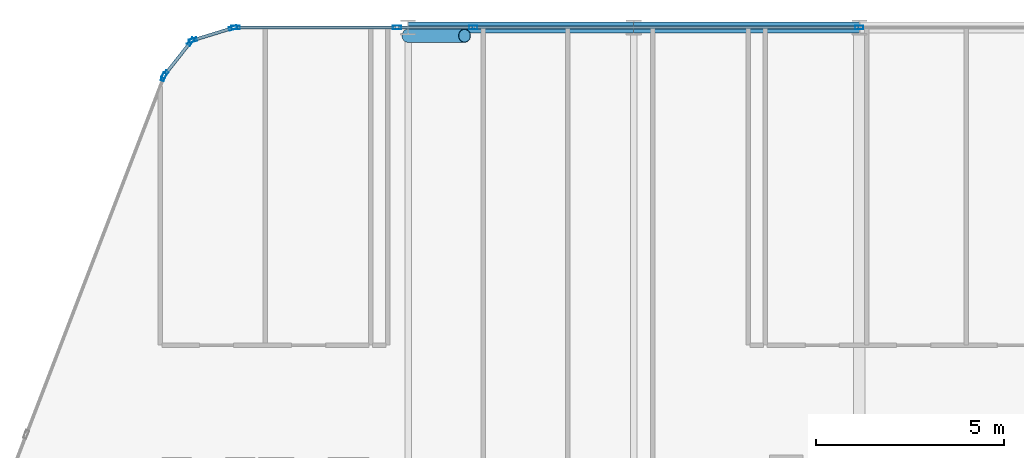
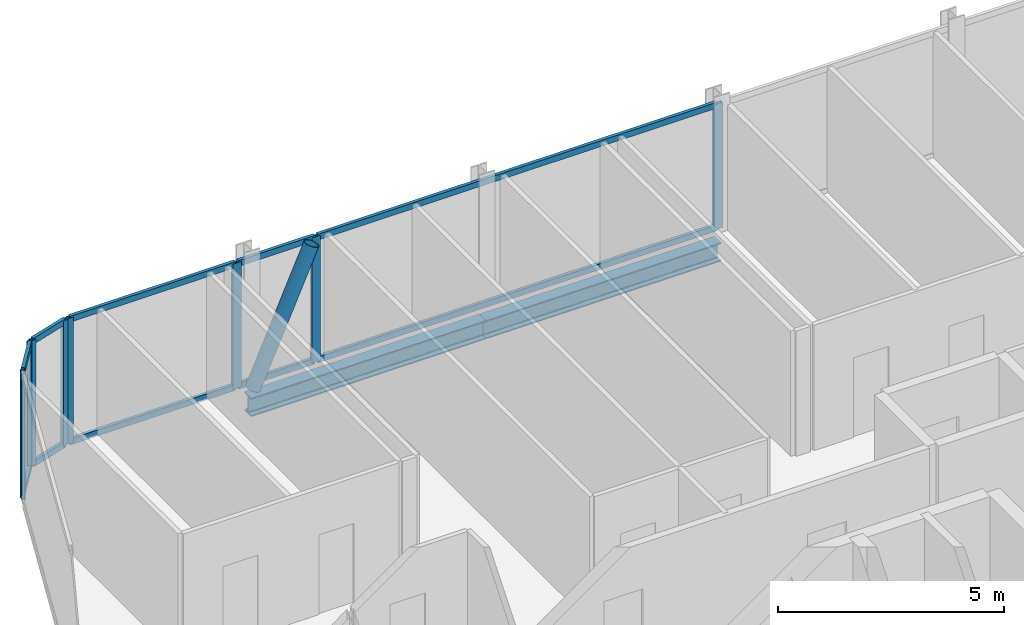
# One storey, part 14 of 33: 20 members, 2 beams, 6 elements without a shape of their own.
"""IFC4 building model written with IfcOpenShell, lengths in metres."""

from ifc_helpers import new_model, si_unit, direction, frame, origin, origin_2d, place, context, subcontext, project, spatial, hollow_rectangle, hollow_circle, i_section, extrude, material, layer, layer_set, material_profile, profile_set, type_object, element, aggregate, save


model = new_model("IFC4")

# Units and contexts
model_context = context("Model", 3, precision=1e-05, world=origin(), true_north=direction((0.0, 1.0)))
body_context = subcontext(model_context, "Body", "Model", "MODEL_VIEW")
ifc_project = project(units=[si_unit("LENGTHUNIT", "METRE"), si_unit("AREAUNIT", "SQUARE_METRE"), si_unit("VOLUMEUNIT", "CUBIC_METRE"), si_unit("PLANEANGLEUNIT", "RADIAN"), si_unit("MASSUNIT", "GRAM", prefix="KILO")], contexts=[model_context])

# Site, building, storey
site_placement = place(None, origin())
site = spatial("IfcSite", under=ifc_project, at=site_placement, CompositionType="ELEMENT")
building_placement = place(site_placement, origin())
building = spatial("IfcBuilding", under=site, at=building_placement, Name="Keshet Zoharim Tower", CompositionType="ELEMENT")
storey_placement = place(building_placement, frame((0.0, 0.0, 73.800048828125)))
storey = spatial("IfcBuildingStorey", under=building, at=storey_placement, Name="L17", CompositionType="ELEMENT", Elevation=73.800048828125)

# Beams
ifc_material_1 = material(Name="Steel S355", Category="steel")
ifc_material_profile_1 = material_profile(ifc_material_1, i_section(OverallWidth=0.300048828125, OverallDepth=0.5, WebThickness=0.014404296875, FlangeThickness=0.028076171875, FilletRadius=0.027099609375, at=origin_2d()), Name="HEB500")
ifc_profile_set_1 = profile_set([ifc_material_profile_1], Name="Steel S355")
beam_type = type_object("IfcBeamType", Name="BM-WEB-HB500", PredefinedType="BEAM", material=ifc_profile_set_1)
for number, where, z_axis, x_axis, name in (
    (1, (21.0, 53.89990234375, -0.56494140625), (1.0, 0.0, 0.0), (0.0, 1.0, 0.0), "L17 Primary Girder X-029"),
    (2, (27.0, 53.89990234375, -0.56494140625), (1.0, 0.0, 0.0), (0.0, 1.0, 0.0), "L17 Primary Girder X-030"),
):
    element("IfcBeam", number, at=place(storey_placement, frame(where, z_axis=z_axis, x_axis=x_axis)), inside=storey, type_object=beam_type, Name=name, PredefinedType="BEAM", context=body_context, shape_type="SweptSolid", body=[
        extrude(i_section(OverallWidth=0.300048828125, OverallDepth=0.5, WebThickness=0.014404296875, FlangeThickness=0.028076171875, FilletRadius=0.027099609375, at=origin_2d()), origin(), (0.0, 0.0, 1.0), 6.0),
    ])

# Curtain wall, member
ifc_material_2 = material(Name="Aluminium 6063-T6", Category="aluminium")
ifc_layer_1 = layer(ifc_material_2, 0.179931640625)
ifc_layer_set_1 = layer_set([ifc_layer_1], Name="Aluminium 6063-T6")
curtain_wall_type_1 = type_object("IfcCurtainWallType", Name="CW-SYS-01", PredefinedType="NOTDEFINED", material=ifc_layer_set_1)
curtain_wall_1_placement = place(storey_placement, origin())
curtain_wall_1 = element("IfcCurtainWall", 3, at=curtain_wall_1_placement, inside=storey, type_object=curtain_wall_type_1, Name="L17 Unitised Curtain Wall 04", PredefinedType="NOTDEFINED")
ifc_material_profile_2 = material_profile(ifc_material_2, hollow_rectangle(XDim=0.090087890625, YDim=0.219970703125, WallThickness=0.0048828125, at=origin_2d()), Name="MUL-90x220")
ifc_profile_set_2 = profile_set([ifc_material_profile_2], Name="Aluminium 6063-T6")
member_type_1 = type_object("IfcMemberType", Name="CWM-M22", PredefinedType="MULLION", material=ifc_profile_set_2)
member_1_placement = place(storey_placement, frame((14.494384765625, 52.58544921875, 0.0), z_axis=(0.0, 0.0, 1.0), x_axis=(-0.933341404361, 0.358990003907, 0.0)))
member_1 = element("IfcMember", 4, at=member_1_placement, type_object=member_type_1, Name="CW-01 mullion 4", PredefinedType="MULLION", context=body_context, shape_type="SweptSolid", body=[
    extrude(hollow_rectangle(XDim=0.090087890625, YDim=0.219970703125, WallThickness=0.0048828125, at=origin_2d()), origin(), (0.0, 0.0, 1.0), 3.385009765625),
])
aggregate(curtain_wall_1, [member_1])

# Curtain wall, members
curtain_wall_2_placement = place(storey_placement, origin())
curtain_wall_2 = element("IfcCurtainWall", 5, at=curtain_wall_2_placement, inside=storey, type_object=curtain_wall_type_1, Name="L17 Unitised Curtain Wall 05", PredefinedType="NOTDEFINED")
member_2_placement = place(storey_placement, frame((14.528564453125, 52.6455078125, 0.0), z_axis=(0.0, 0.0, 1.0), x_axis=(-0.785292825205, 0.619124525989, 0.0)))
member_2 = element("IfcMember", 6, at=member_2_placement, type_object=member_type_1, Name="CW-01 mullion 1", PredefinedType="MULLION", context=body_context, shape_type="SweptSolid", body=[
    extrude(hollow_rectangle(XDim=0.090087890625, YDim=0.219970703125, WallThickness=0.0048828125, at=origin_2d()), origin(), (0.0, 0.0, 1.0), 3.385009765625),
])
member_3_placement = place(storey_placement, frame((15.21923828125, 53.521484375, 0.0), z_axis=(0.0, 0.0, 1.0), x_axis=(-0.785292825205, 0.619124525989, 0.0)))
member_3 = element("IfcMember", 7, at=member_3_placement, type_object=member_type_1, Name="CW-01 mullion 2", PredefinedType="MULLION", context=body_context, shape_type="SweptSolid", body=[
    extrude(hollow_rectangle(XDim=0.090087890625, YDim=0.219970703125, WallThickness=0.0048828125, at=origin_2d()), origin(), (0.0, 0.0, 1.0), 3.385009765625),
])

curtain_wall_3_placement = place(storey_placement, origin())
curtain_wall_3 = element("IfcCurtainWall", 8, at=curtain_wall_3_placement, inside=storey, type_object=curtain_wall_type_1, Name="L17 Unitised Curtain Wall 06", PredefinedType="NOTDEFINED")
member_4_placement = place(storey_placement, frame((15.2744140625, 53.559326171875, 0.0), z_axis=(0.0, 0.0, 1.0), x_axis=(-0.295921857984, 0.955212151288, 0.0)))
member_4 = element("IfcMember", 9, at=member_4_placement, type_object=member_type_1, Name="CW-01 mullion 1", PredefinedType="MULLION", context=body_context, shape_type="SweptSolid", body=[
    extrude(hollow_rectangle(XDim=0.090087890625, YDim=0.219970703125, WallThickness=0.0048828125, at=origin_2d()), origin(), (0.0, 0.0, 1.0), 3.385009765625),
])
member_5_placement = place(storey_placement, frame((16.340576171875, 53.8896484375, 0.0), z_axis=(0.0, 0.0, 1.0), x_axis=(-0.295921857984, 0.955212151288, 0.0)))
member_5 = element("IfcMember", 10, at=member_5_placement, type_object=member_type_1, Name="CW-01 mullion 2", PredefinedType="MULLION", context=body_context, shape_type="SweptSolid", body=[
    extrude(hollow_rectangle(XDim=0.090087890625, YDim=0.219970703125, WallThickness=0.0048828125, at=origin_2d()), origin(), (0.0, 0.0, 1.0), 3.385009765625),
])

ifc_layer_2 = layer(ifc_material_2, 0.169921875)
ifc_layer_set_2 = layer_set([ifc_layer_2], Name="Aluminium 6063-T6")
curtain_wall_type_2 = type_object("IfcCurtainWallType", Name="CW-SYS-02", PredefinedType="NOTDEFINED", material=ifc_layer_set_2)
curtain_wall_4_placement = place(storey_placement, origin())
curtain_wall_4 = element("IfcCurtainWall", 11, at=curtain_wall_4_placement, inside=storey, type_object=curtain_wall_type_2, Name="L17 Unitised Curtain Wall 07", PredefinedType="NOTDEFINED")
member_6_placement = place(storey_placement, frame((16.408935546875, 53.89990234375, 0.0), z_axis=(0.0, 0.0, 1.0), x_axis=(0.0, 1.0, 0.0)))
member_6 = element("IfcMember", 12, at=member_6_placement, type_object=member_type_1, Name="CW-02 mullion 1", PredefinedType="MULLION", context=body_context, shape_type="SweptSolid", body=[
    extrude(hollow_rectangle(XDim=0.090087890625, YDim=0.219970703125, WallThickness=0.0048828125, at=origin_2d()), origin(), (0.0, 0.0, 1.0), 3.385009765625),
])
member_7_placement = place(storey_placement, frame((20.702392578125, 53.89990234375, 0.0), z_axis=(0.0, 0.0, 1.0), x_axis=(0.0, 1.0, 0.0)))
member_7 = element("IfcMember", 13, at=member_7_placement, type_object=member_type_1, Name="CW-02 mullion 2", PredefinedType="MULLION", context=body_context, shape_type="SweptSolid", body=[
    extrude(hollow_rectangle(XDim=0.090087890625, YDim=0.219970703125, WallThickness=0.0048828125, at=origin_2d()), origin(), (0.0, 0.0, 1.0), 3.385009765625),
])

# Curtain wall, member
curtain_wall_5_placement = place(storey_placement, origin())
curtain_wall_5 = element("IfcCurtainWall", 14, at=curtain_wall_5_placement, inside=storey, type_object=curtain_wall_type_2, Name="L17 Unitised Curtain Wall 07 Part 2", PredefinedType="NOTDEFINED")
member_8_placement = place(storey_placement, frame((22.7275390625, 53.89990234375, 0.0), z_axis=(0.0, 0.0, 1.0), x_axis=(0.0, 1.0, 0.0)))
member_8 = element("IfcMember", 15, at=member_8_placement, type_object=member_type_1, Name="CW-02 mullion 2", PredefinedType="MULLION", context=body_context, shape_type="SweptSolid", body=[
    extrude(hollow_rectangle(XDim=0.090087890625, YDim=0.219970703125, WallThickness=0.0048828125, at=origin_2d()), origin(), (0.0, 0.0, 1.0), 3.385009765625),
])

curtain_wall_6_placement = place(storey_placement, origin())
curtain_wall_6 = element("IfcCurtainWall", 16, at=curtain_wall_6_placement, inside=storey, type_object=curtain_wall_type_2, Name="L17 Unitised Curtain Wall 07 Part 3", PredefinedType="NOTDEFINED")
member_9_placement = place(storey_placement, frame((33.0, 53.89990234375, 0.0), z_axis=(0.0, 0.0, 1.0), x_axis=(0.0, 1.0, 0.0)))
member_9 = element("IfcMember", 17, at=member_9_placement, type_object=member_type_1, Name="CW-02 mullion 2", PredefinedType="MULLION", context=body_context, shape_type="SweptSolid", body=[
    extrude(hollow_rectangle(XDim=0.090087890625, YDim=0.219970703125, WallThickness=0.0048828125, at=origin_2d()), origin(), (0.0, 0.0, 1.0), 3.385009765625),
])

# Member
ifc_material_profile_3 = material_profile(ifc_material_2, hollow_rectangle(XDim=0.0849609375, YDim=0.159912109375, WallThickness=0.00439453125, at=origin_2d()), Name="TRN-85x160")
ifc_profile_set_3 = profile_set([ifc_material_profile_3], Name="Aluminium 6063-T6")
member_type_2 = type_object("IfcMemberType", Name="CWT-T16", PredefinedType="USERDEFINED", material=ifc_profile_set_3)
member_10_placement = place(storey_placement, frame((14.55029296875, 52.6728515625, 0.034912109375), z_axis=(0.619099165969, 0.78531281837, 0.0), x_axis=(-0.78531281837, 0.619099165969, 0.0)))
member_10 = element("IfcMember", 18, at=member_10_placement, type_object=member_type_2, Name="CW-01 transom 1.1", ObjectType="TRANSOM", PredefinedType="USERDEFINED", context=body_context, shape_type="SweptSolid", body=[
    extrude(hollow_rectangle(XDim=0.0849609375, YDim=0.159912109375, WallThickness=0.00439453125, at=origin_2d()), origin(), (0.0, 0.0, 1.0), 1.0458984375),
])

member_11_placement = place(storey_placement, frame((14.55029296875, 52.6728515625, 3.349853515625), z_axis=(0.619099165969, 0.78531281837, 0.0), x_axis=(-0.78531281837, 0.619099165969, 0.0)))
member_11 = element("IfcMember", 19, at=member_11_placement, type_object=member_type_2, Name="CW-01 transom 1.2", ObjectType="TRANSOM", PredefinedType="USERDEFINED", context=body_context, shape_type="SweptSolid", body=[
    extrude(hollow_rectangle(XDim=0.0849609375, YDim=0.159912109375, WallThickness=0.00439453125, at=origin_2d()), origin(), (0.0, 0.0, 1.0), 1.0458984375),
])

aggregate(curtain_wall_2, [member_2, member_3, member_10, member_11])

member_12_placement = place(storey_placement, frame((15.307861328125, 53.56982421875, 0.034912109375), z_axis=(0.955212093062, 0.295922045933, 0.0), x_axis=(-0.295922045933, 0.955212093062, 0.0)))
member_12 = element("IfcMember", 20, at=member_12_placement, type_object=member_type_2, Name="CW-01 transom 1.1", ObjectType="TRANSOM", PredefinedType="USERDEFINED", context=body_context, shape_type="SweptSolid", body=[
    extrude(hollow_rectangle(XDim=0.0849609375, YDim=0.159912109375, WallThickness=0.00439453125, at=origin_2d()), origin(), (0.0, 0.0, 1.0), 1.046142578125),
])

member_13_placement = place(storey_placement, frame((15.307861328125, 53.56982421875, 3.349853515625), z_axis=(0.955212093062, 0.295922045933, 0.0), x_axis=(-0.295922045933, 0.955212093062, 0.0)))
member_13 = element("IfcMember", 21, at=member_13_placement, type_object=member_type_2, Name="CW-01 transom 1.2", ObjectType="TRANSOM", PredefinedType="USERDEFINED", context=body_context, shape_type="SweptSolid", body=[
    extrude(hollow_rectangle(XDim=0.0849609375, YDim=0.159912109375, WallThickness=0.00439453125, at=origin_2d()), origin(), (0.0, 0.0, 1.0), 1.046142578125),
])

aggregate(curtain_wall_3, [member_4, member_5, member_12, member_13])

member_14_placement = place(storey_placement, frame((16.444091796875, 53.89990234375, 0.034912109375), z_axis=(1.0, 0.0, 0.0), x_axis=(0.0, 1.0, 0.0)))
member_14 = element("IfcMember", 22, at=member_14_placement, type_object=member_type_2, Name="CW-02 transom 1.1", ObjectType="TRANSOM", PredefinedType="USERDEFINED", context=body_context, shape_type="SweptSolid", body=[
    extrude(hollow_rectangle(XDim=0.0849609375, YDim=0.159912109375, WallThickness=0.00439453125, at=origin_2d()), origin(), (0.0, 0.0, 1.0), 4.223388671875),
])

member_15_placement = place(storey_placement, frame((16.444091796875, 53.89990234375, 3.349853515625), z_axis=(1.0, 0.0, 0.0), x_axis=(0.0, 1.0, 0.0)))
member_15 = element("IfcMember", 23, at=member_15_placement, type_object=member_type_2, Name="CW-02 transom 1.2", ObjectType="TRANSOM", PredefinedType="USERDEFINED", context=body_context, shape_type="SweptSolid", body=[
    extrude(hollow_rectangle(XDim=0.0849609375, YDim=0.159912109375, WallThickness=0.00439453125, at=origin_2d()), origin(), (0.0, 0.0, 1.0), 4.223388671875),
])

aggregate(curtain_wall_4, [member_6, member_7, member_14, member_15])

member_16_placement = place(storey_placement, frame((20.7373046875, 53.89990234375, 0.034912109375), z_axis=(1.0, 0.0, 0.0), x_axis=(0.0, 1.0, 0.0)))
member_16 = element("IfcMember", 24, at=member_16_placement, type_object=member_type_2, Name="CW-02 transom 1.1", ObjectType="TRANSOM", PredefinedType="USERDEFINED", context=body_context, shape_type="SweptSolid", body=[
    extrude(hollow_rectangle(XDim=0.0849609375, YDim=0.159912109375, WallThickness=0.00439453125, at=origin_2d()), origin(), (0.0, 0.0, 1.0), 1.955322265625),
])

member_17_placement = place(storey_placement, frame((20.7373046875, 53.89990234375, 3.349853515625), z_axis=(1.0, 0.0, 0.0), x_axis=(0.0, 1.0, 0.0)))
member_17 = element("IfcMember", 25, at=member_17_placement, type_object=member_type_2, Name="CW-02 transom 1.2", ObjectType="TRANSOM", PredefinedType="USERDEFINED", context=body_context, shape_type="SweptSolid", body=[
    extrude(hollow_rectangle(XDim=0.0849609375, YDim=0.159912109375, WallThickness=0.00439453125, at=origin_2d()), origin(), (0.0, 0.0, 1.0), 1.955322265625),
])

aggregate(curtain_wall_5, [member_8, member_16, member_17])

member_18_placement = place(storey_placement, frame((22.7626953125, 53.89990234375, 0.034912109375), z_axis=(1.0, 0.0, 0.0), x_axis=(0.0, 1.0, 0.0)))
member_18 = element("IfcMember", 26, at=member_18_placement, type_object=member_type_2, Name="CW-02 transom 1.1", ObjectType="TRANSOM", PredefinedType="USERDEFINED", context=body_context, shape_type="SweptSolid", body=[
    extrude(hollow_rectangle(XDim=0.0849609375, YDim=0.159912109375, WallThickness=0.00439453125, at=origin_2d()), origin(), (0.0, 0.0, 1.0), 10.202392578125),
])

member_19_placement = place(storey_placement, frame((22.7626953125, 53.89990234375, 3.349853515625), z_axis=(1.0, 0.0, 0.0), x_axis=(0.0, 1.0, 0.0)))
member_19 = element("IfcMember", 27, at=member_19_placement, type_object=member_type_2, Name="CW-02 transom 1.2", ObjectType="TRANSOM", PredefinedType="USERDEFINED", context=body_context, shape_type="SweptSolid", body=[
    extrude(hollow_rectangle(XDim=0.0849609375, YDim=0.159912109375, WallThickness=0.00439453125, at=origin_2d()), origin(), (0.0, 0.0, 1.0), 10.202392578125),
])

aggregate(curtain_wall_6, [member_9, member_18, member_19])

ifc_material_profile_4 = material_profile(ifc_material_1, hollow_circle(Radius=0.177734375, WallThickness=0.012451171875, at=origin_2d()), Name="CHS355x12.5")
ifc_profile_set_4 = profile_set([ifc_material_profile_4], Name="Steel S355")
member_type_3 = type_object("IfcMemberType", Name="MB-BR-C355", PredefinedType="BRACE", material=ifc_profile_set_4)
member_20_placement = place(storey_placement, frame((21.0, 53.679931640625, 0.0), z_axis=(0.405134846829, 0.0, 0.91425694194), x_axis=(0.0, 1.0, 0.0)))
element("IfcMember", 28, at=member_20_placement, inside=storey, type_object=member_type_3, Name="L17 Perimeter Tube Brace 01", PredefinedType="BRACE", context=body_context, shape_type="SweptSolid", body=[
    extrude(hollow_circle(Radius=0.177734375, WallThickness=0.012451171875, at=origin_2d()), origin(), (0.0, 0.0, 1.0), 3.702392578125),
])

save(model, "model.ifc")
